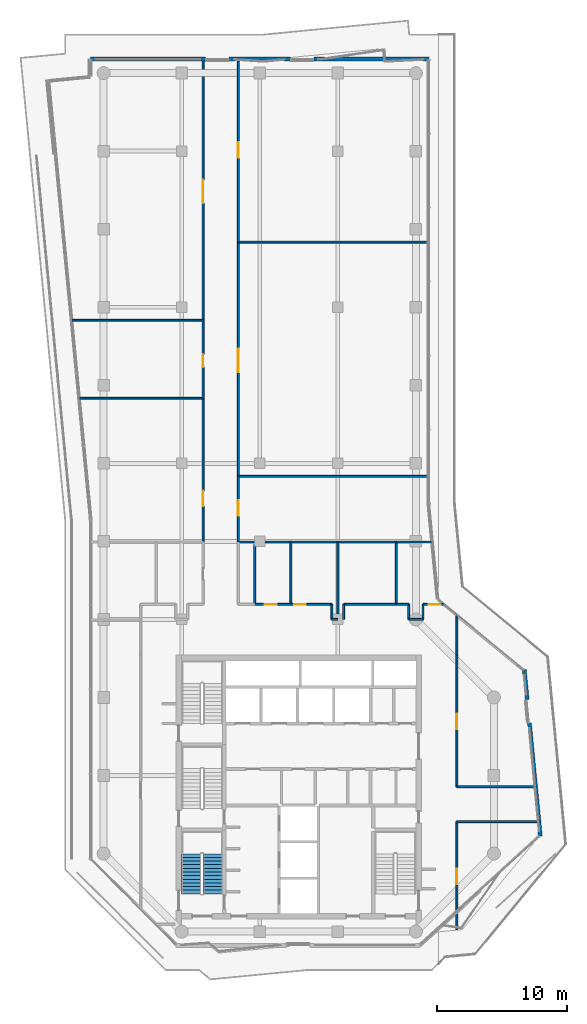
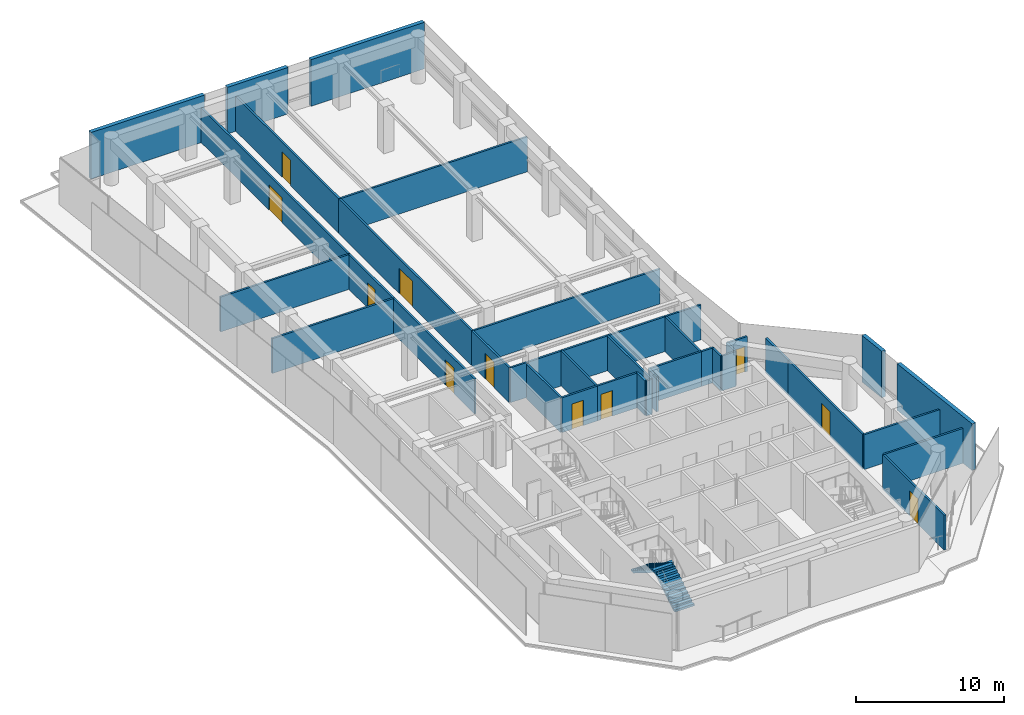
# One storey, part 20 of 23: 37 walls, 11 doors, 2 stair flights, 11 openings, 1 element without a shape of its own.
"""IFC4 building model written with IfcOpenShell, lengths in metres."""

from ifc_helpers import new_model, si_unit, direction, frame, frame_2d, origin, place, context, subcontext, project, spatial, polyline, rectangle, outline, extrude, material, layer, layer_set, type_object, element, fill, aggregate, save


model = new_model("IFC4")

# Units and contexts
model_context = context("Model", 3, precision=1e-05, world=origin(), true_north=direction((0.0, 1.0)))
body_context = subcontext(model_context, "Body", "Model", "MODEL_VIEW")
ifc_project = project(units=[si_unit("LENGTHUNIT", "METRE"), si_unit("AREAUNIT", "SQUARE_METRE"), si_unit("VOLUMEUNIT", "CUBIC_METRE"), si_unit("PLANEANGLEUNIT", "RADIAN"), si_unit("MASSUNIT", "GRAM", prefix="KILO")], contexts=[model_context])

# Site, building, storey
site_placement = place(None, origin())
site = spatial("IfcSite", under=ifc_project, at=site_placement, CompositionType="ELEMENT")
building_placement = place(site_placement, origin())
building = spatial("IfcBuilding", under=site, at=building_placement, Name="Welwitschia Terrace Campus", CompositionType="ELEMENT")
storey_placement = place(building_placement, frame((0.0, 0.0, 205.39990234375)))
storey = spatial("IfcBuildingStorey", under=building, at=storey_placement, Name="L45", CompositionType="ELEMENT", Elevation=205.39990234375)

# Walls
ifc_material_1 = material(Name="Gypsum board on steel studs", Category="steel")
ifc_layer_1 = layer(ifc_material_1, 0.14990234375)
ifc_layer_set_1 = layer_set([ifc_layer_1], Name="Gypsum board on steel studs")
wall_type_1 = type_object("IfcWallType", Name="Corridor partition 150 EI 30", PredefinedType="PARTITIONING", material=ifc_layer_set_1)
wall_1_placement = place(storey_placement, frame((-2.4599609375, 51.0, 0.0), z_axis=(0.0, 0.0, 1.0), x_axis=(1.0, 0.0, 0.0)))
element("IfcWall", 1, at=wall_1_placement, inside=storey, type_object=wall_type_1, Name="Partition", PredefinedType="PARTITIONING", context=body_context, shape_type="SweptSolid", body=[
    extrude(rectangle(XDim=10.10986328125, YDim=0.14990234375, at=frame_2d((5.054931640625, 0.0))), origin(), (0.0, 0.0, 1.0), 2.880126953125),
])
wall_2_placement = place(storey_placement, frame((-1.8798828125, 45.0, 0.0), z_axis=(0.0, 0.0, 1.0), x_axis=(1.0, 0.0, 0.0)))
element("IfcWall", 2, at=wall_2_placement, inside=storey, type_object=wall_type_1, Name="Partition", PredefinedType="PARTITIONING", context=body_context, shape_type="SweptSolid", body=[
    extrude(rectangle(XDim=9.52978515625, YDim=0.14990234375, at=frame_2d((4.764892578125, 0.0))), origin(), (0.0, 0.0, 1.0), 2.880126953125),
])

# Wall, opening, door
wall_3_placement = place(storey_placement, frame((7.64990234375, 33.949951171875, 0.0), z_axis=(0.0, 0.0, 1.0), x_axis=(0.0, 1.0, 0.0)))
wall_3 = element("IfcWall", 3, at=wall_3_placement, inside=storey, type_object=wall_type_1, Name="Partition", PredefinedType="PARTITIONING", context=body_context, shape_type="SweptSolid", body=[
    extrude(rectangle(XDim=11.050048828125, YDim=0.14990234375, at=frame_2d((5.52490234375, 0.0))), origin(), (0.0, 0.0, 1.0), 2.880126953125),
])
opening_1_placement = place(wall_3_placement, frame((2.75, 0.0, 0.0)))
opening_1 = element("IfcOpeningElement", 4, at=opening_1_placement, cuts=wall_3, Name="Opening DI12", PredefinedType="OPENING", context=body_context, shape_type="SweptSolid", body=[
    extrude(rectangle(XDim=1.199951171875, YDim=2.10009765625, at=frame_2d((0.60009765625, 1.050048828125))), frame((0.0, 0.0849609375, 0.0), z_axis=(0.0, -1.0, 0.0), x_axis=(1.0, 0.0, 0.0)), (0.0, 0.0, 1.0), 0.169921875),
])
ifc_material_2 = material(Name="Timber veneered door", Category="wood")
door_type_1 = type_object("IfcDoorType", Name="Interior door DI12", OperationType="NOTDEFINED", PredefinedType="DOOR", material=ifc_material_2)
door_1_placement = place(opening_1_placement, origin())
door_1 = element("IfcDoor", 5, at=door_1_placement, inside=storey, type_object=door_type_1, Name="Door L45 860", OperationType="SINGLE_SWING_LEFT", OverallHeight=2.10009765625, OverallWidth=1.199951171875, PredefinedType="DOOR", context=body_context, shape_type="SweptSolid", body=[
    extrude(rectangle(XDim=1.199951171875, YDim=2.10009765625, at=frame_2d((0.60009765625, 1.050048828125))), frame((0.0, 0.02490234375, 0.0), z_axis=(0.0, -1.0, 0.0), x_axis=(1.0, 0.0, 0.0)), (0.0, 0.0, 1.0), 0.050048828125),
])
fill(opening_1, door_1)

wall_4_placement = place(storey_placement, frame((7.64990234375, 45.0, 0.0), z_axis=(0.0, 0.0, 1.0), x_axis=(0.0, 1.0, 0.0)))
wall_4 = element("IfcWall", 6, at=wall_4_placement, inside=storey, type_object=wall_type_1, Name="Partition", PredefinedType="PARTITIONING", context=body_context, shape_type="SweptSolid", body=[
    extrude(rectangle(XDim=6.0, YDim=0.14990234375, at=frame_2d((3.0, 0.0))), origin(), (0.0, 0.0, 1.0), 2.880126953125),
])
opening_2_placement = place(wall_4_placement, frame((2.39990234375, 0.0, 0.0)))
opening_2 = element("IfcOpeningElement", 7, at=opening_2_placement, cuts=wall_4, Name="Opening DI10", PredefinedType="OPENING", context=body_context, shape_type="SweptSolid", body=[
    extrude(rectangle(XDim=1.0, YDim=2.10009765625, at=frame_2d((0.5, 1.050048828125))), frame((0.0, 0.0849609375, 0.0), z_axis=(0.0, -1.0, 0.0), x_axis=(1.0, 0.0, 0.0)), (0.0, 0.0, 1.0), 0.169921875),
])
ifc_material_3 = material(Name="Timber veneered door", Category="wood")
door_type_2 = type_object("IfcDoorType", Name="Interior door DI10", OperationType="NOTDEFINED", PredefinedType="DOOR", material=ifc_material_3)
door_2_placement = place(opening_2_placement, origin())
door_2 = element("IfcDoor", 8, at=door_2_placement, inside=storey, type_object=door_type_2, Name="Door L45 861", OperationType="SINGLE_SWING_RIGHT", OverallHeight=2.10009765625, OverallWidth=1.0, PredefinedType="DOOR", context=body_context, shape_type="SweptSolid", body=[
    extrude(rectangle(XDim=1.0, YDim=2.10009765625, at=frame_2d((0.5, 1.050048828125))), frame((0.0, 0.02490234375, 0.0), z_axis=(0.0, -1.0, 0.0), x_axis=(1.0, 0.0, 0.0)), (0.0, 0.0, 1.0), 0.050048828125),
])
fill(opening_2, door_2)

wall_5_placement = place(storey_placement, frame((7.64990234375, 71.090087890625, 0.0), z_axis=(0.0, 0.0, 1.0), x_axis=(0.0, -1.0, 0.0)))
wall_5 = element("IfcWall", 9, at=wall_5_placement, inside=storey, type_object=wall_type_1, Name="Partition", PredefinedType="PARTITIONING", context=body_context, shape_type="SweptSolid", body=[
    extrude(rectangle(XDim=20.090087890625, YDim=0.14990234375, at=frame_2d((10.044921875, 0.0))), origin(), (0.0, 0.0, 1.0), 2.880126953125),
])
opening_3_placement = place(wall_5_placement, frame((9.31005859375, 0.0, 0.0)))
opening_3 = element("IfcOpeningElement", 10, at=opening_3_placement, cuts=wall_5, Name="Opening DI18", PredefinedType="OPENING", context=body_context, shape_type="SweptSolid", body=[
    extrude(rectangle(XDim=1.800048828125, YDim=2.10009765625, at=frame_2d((0.89990234375, 1.050048828125))), frame((0.0, 0.0849609375, 0.0), z_axis=(0.0, -1.0, 0.0), x_axis=(1.0, 0.0, 0.0)), (0.0, 0.0, 1.0), 0.169921875),
])
ifc_material_4 = material(Name="Timber veneered door", Category="wood")
door_type_3 = type_object("IfcDoorType", Name="Interior door DI18", OperationType="DOUBLE_DOOR_SINGLE_SWING", PredefinedType="DOOR", material=ifc_material_4)
door_3_placement = place(opening_3_placement, origin())
door_3 = element("IfcDoor", 11, at=door_3_placement, inside=storey, type_object=door_type_3, Name="Door L45 862", OperationType="SINGLE_SWING_LEFT", OverallHeight=2.10009765625, OverallWidth=1.800048828125, PredefinedType="DOOR", context=body_context, shape_type="SweptSolid", body=[
    extrude(rectangle(XDim=1.800048828125, YDim=2.10009765625, at=frame_2d((0.89990234375, 1.050048828125))), frame((0.0, 0.02490234375, 0.0), z_axis=(0.0, -1.0, 0.0), x_axis=(1.0, 0.0, 0.0)), (0.0, 0.0, 1.0), 0.050048828125),
])
fill(opening_3, door_3)

# Wall
wall_6_placement = place(storey_placement, frame((10.35009765625, 33.949951171875, 0.0), z_axis=(0.0, 0.0, 1.0), x_axis=(1.0, 0.0, 0.0)))
element("IfcWall", 12, at=wall_6_placement, inside=storey, type_object=wall_type_1, Name="Partition", PredefinedType="PARTITIONING", context=body_context, shape_type="SweptSolid", body=[
    extrude(rectangle(XDim=12.159912109375, YDim=0.14990234375, at=frame_2d((6.080078125, 0.0))), origin(), (0.0, 0.0, 1.0), 2.880126953125),
])

# Wall, opening, door
wall_7_placement = place(storey_placement, frame((10.35009765625, 39.0, 0.0), z_axis=(0.0, 0.0, 1.0), x_axis=(0.0, -1.0, 0.0)))
wall_7 = element("IfcWall", 13, at=wall_7_placement, inside=storey, type_object=wall_type_1, Name="Partition", PredefinedType="PARTITIONING", context=body_context, shape_type="SweptSolid", body=[
    extrude(rectangle(XDim=5.050048828125, YDim=0.14990234375, at=frame_2d((2.52490234375, 0.0))), origin(), (0.0, 0.0, 1.0), 2.880126953125),
])
opening_4_placement = place(wall_7_placement, frame((1.85009765625, 0.0, 0.0)))
opening_4 = element("IfcOpeningElement", 14, at=opening_4_placement, cuts=wall_7, Name="Opening DI12", PredefinedType="OPENING", context=body_context, shape_type="SweptSolid", body=[
    extrude(rectangle(XDim=1.199951171875, YDim=2.10009765625, at=frame_2d((0.60009765625, 1.050048828125))), frame((0.0, 0.0849609375, 0.0), z_axis=(0.0, -1.0, 0.0), x_axis=(1.0, 0.0, 0.0)), (0.0, 0.0, 1.0), 0.169921875),
])
door_4_placement = place(opening_4_placement, origin())
door_4 = element("IfcDoor", 15, at=door_4_placement, inside=storey, type_object=door_type_1, Name="Door L45 863", OperationType="SINGLE_SWING_RIGHT", OverallHeight=2.10009765625, OverallWidth=1.199951171875, PredefinedType="DOOR", context=body_context, shape_type="SweptSolid", body=[
    extrude(rectangle(XDim=1.199951171875, YDim=2.10009765625, at=frame_2d((0.60009765625, 1.050048828125))), frame((0.0, 0.02490234375, 0.0), z_axis=(0.0, -1.0, 0.0), x_axis=(1.0, 0.0, 0.0)), (0.0, 0.0, 1.0), 0.050048828125),
])
fill(opening_4, door_4)

wall_8_placement = place(storey_placement, frame((10.35009765625, 39.0, 0.0), z_axis=(0.0, 0.0, 1.0), x_axis=(0.0, 1.0, 0.0)))
wall_8 = element("IfcWall", 16, at=wall_8_placement, inside=storey, type_object=wall_type_1, Name="Partition", PredefinedType="PARTITIONING", context=body_context, shape_type="SweptSolid", body=[
    extrude(rectangle(XDim=18.0, YDim=0.14990234375, at=frame_2d((9.0, 0.0))), origin(), (0.0, 0.0, 1.0), 2.880126953125),
])
opening_5_placement = place(wall_8_placement, frame((8.0, 0.0, 0.0)))
opening_5 = element("IfcOpeningElement", 17, at=opening_5_placement, cuts=wall_8, Name="Opening DI18", PredefinedType="OPENING", context=body_context, shape_type="SweptSolid", body=[
    extrude(rectangle(XDim=1.800048828125, YDim=2.10009765625, at=frame_2d((0.89990234375, 1.050048828125))), frame((0.0, 0.0849609375, 0.0), z_axis=(0.0, -1.0, 0.0), x_axis=(1.0, 0.0, 0.0)), (0.0, 0.0, 1.0), 0.169921875),
])
door_5_placement = place(opening_5_placement, origin())
door_5 = element("IfcDoor", 18, at=door_5_placement, inside=storey, type_object=door_type_3, Name="Door L45 864", OperationType="SINGLE_SWING_LEFT", OverallHeight=2.10009765625, OverallWidth=1.800048828125, PredefinedType="DOOR", context=body_context, shape_type="SweptSolid", body=[
    extrude(rectangle(XDim=1.800048828125, YDim=2.10009765625, at=frame_2d((0.89990234375, 1.050048828125))), frame((0.0, 0.02490234375, 0.0), z_axis=(0.0, -1.0, 0.0), x_axis=(1.0, 0.0, 0.0)), (0.0, 0.0, 1.0), 0.050048828125),
])
fill(opening_5, door_5)

# Walls
for number, where, z_axis, x_axis, name in (
    (19, (10.35009765625, 39.0, 0.0), (0.0, 0.0, 1.0), (1.0, 0.0, 0.0), "Partition"),
    (20, (10.35009765625, 57.0, 0.0), (0.0, 0.0, 1.0), (1.0, 0.0, 0.0), "Partition"),
):
    element("IfcWall", number, at=place(storey_placement, frame(where, z_axis=z_axis, x_axis=x_axis)), inside=storey, type_object=wall_type_1, Name=name, PredefinedType="PARTITIONING", context=body_context, shape_type="SweptSolid", body=[
        extrude(rectangle(XDim=14.6298828125, YDim=0.14990234375, at=frame_2d((7.31494140625, 0.0))), origin(), (0.0, 0.0, 1.0), 2.880126953125),
    ])

# Wall, opening, door
wall_9_placement = place(storey_placement, frame((10.35009765625, 71.090087890625, 0.0), z_axis=(0.0, 0.0, 1.0), x_axis=(0.0, -1.0, 0.0)))
wall_9 = element("IfcWall", 21, at=wall_9_placement, inside=storey, type_object=wall_type_1, Name="Partition", PredefinedType="PARTITIONING", context=body_context, shape_type="SweptSolid", body=[
    extrude(rectangle(XDim=14.090087890625, YDim=0.14990234375, at=frame_2d((7.044921875, 0.0))), origin(), (0.0, 0.0, 1.0), 2.880126953125),
])
opening_6_placement = place(wall_9_placement, frame((6.389892578125, 0.0, 0.0)))
opening_6 = element("IfcOpeningElement", 22, at=opening_6_placement, cuts=wall_9, Name="Opening DI12", PredefinedType="OPENING", context=body_context, shape_type="SweptSolid", body=[
    extrude(rectangle(XDim=1.199951171875, YDim=2.10009765625, at=frame_2d((0.60009765625, 1.050048828125))), frame((0.0, 0.0849609375, 0.0), z_axis=(0.0, -1.0, 0.0), x_axis=(1.0, 0.0, 0.0)), (0.0, 0.0, 1.0), 0.169921875),
])
door_6_placement = place(opening_6_placement, origin())
door_6 = element("IfcDoor", 23, at=door_6_placement, inside=storey, type_object=door_type_1, Name="Door L45 865", OperationType="SINGLE_SWING_RIGHT", OverallHeight=2.10009765625, OverallWidth=1.199951171875, PredefinedType="DOOR", context=body_context, shape_type="SweptSolid", body=[
    extrude(rectangle(XDim=1.199951171875, YDim=2.10009765625, at=frame_2d((0.60009765625, 1.050048828125))), frame((0.0, 0.02490234375, 0.0), z_axis=(0.0, -1.0, 0.0), x_axis=(1.0, 0.0, 0.0)), (0.0, 0.0, 1.0), 0.050048828125),
])
fill(opening_6, door_6)

# Wall
wall_10_placement = place(storey_placement, frame((11.60009765625, 29.14990234375, 0.0), z_axis=(0.0, 0.0, 1.0), x_axis=(0.0, 1.0, 0.0)))
element("IfcWall", 24, at=wall_10_placement, inside=storey, type_object=wall_type_1, Name="Partition", PredefinedType="PARTITIONING", context=body_context, shape_type="SweptSolid", body=[
    extrude(rectangle(XDim=4.60009765625, YDim=0.14990234375, at=frame_2d((2.300048828125, 0.0))), origin(), (0.0, 0.0, 1.0), 2.880126953125),
])

# Wall, opening, door
wall_11_placement = place(storey_placement, frame((11.60009765625, 29.14990234375, 0.0), z_axis=(0.0, 0.0, 1.0), x_axis=(1.0, 0.0, 0.0)))
wall_11 = element("IfcWall", 25, at=wall_11_placement, inside=storey, type_object=wall_type_1, Name="Partition", PredefinedType="PARTITIONING", context=body_context, shape_type="SweptSolid", body=[
    extrude(rectangle(XDim=2.7998046875, YDim=0.14990234375, at=frame_2d((1.39990234375, 0.0))), origin(), (0.0, 0.0, 1.0), 2.880126953125),
])
opening_7_placement = place(wall_11_placement, frame((0.800048828125, 0.0, 0.0)))
opening_7 = element("IfcOpeningElement", 26, at=opening_7_placement, cuts=wall_11, Name="Opening DI09", PredefinedType="OPENING", context=body_context, shape_type="SweptSolid", body=[
    extrude(rectangle(XDim=0.89990234375, YDim=2.10009765625, at=frame_2d((0.449951171875, 1.050048828125))), frame((0.0, 0.0849609375, 0.0), z_axis=(0.0, -1.0, 0.0), x_axis=(1.0, 0.0, 0.0)), (0.0, 0.0, 1.0), 0.169921875),
])
ifc_material_5 = material(Name="Timber veneered door", Category="wood")
door_type_4 = type_object("IfcDoorType", Name="Interior door DI09", OperationType="NOTDEFINED", PredefinedType="DOOR", material=ifc_material_5)
door_7_placement = place(opening_7_placement, origin())
door_7 = element("IfcDoor", 27, at=door_7_placement, inside=storey, type_object=door_type_4, Name="Door L45 866", OperationType="SINGLE_SWING_LEFT", OverallHeight=2.10009765625, OverallWidth=0.89990234375, PredefinedType="DOOR", context=body_context, shape_type="SweptSolid", body=[
    extrude(rectangle(XDim=0.89990234375, YDim=2.10009765625, at=frame_2d((0.449951171875, 1.050048828125))), frame((0.0, 0.02490234375, 0.0), z_axis=(0.0, -1.0, 0.0), x_axis=(1.0, 0.0, 0.0)), (0.0, 0.0, 1.0), 0.050048828125),
])
fill(opening_7, door_7)

# Wall
wall_12_placement = place(storey_placement, frame((14.39990234375, 29.14990234375, 0.0), z_axis=(0.0, 0.0, 1.0), x_axis=(0.0, 1.0, 0.0)))
element("IfcWall", 28, at=wall_12_placement, inside=storey, type_object=wall_type_1, Name="Partition", PredefinedType="PARTITIONING", context=body_context, shape_type="SweptSolid", body=[
    extrude(rectangle(XDim=4.800048828125, YDim=0.14990234375, at=frame_2d((2.39990234375, 0.0))), origin(), (0.0, 0.0, 1.0), 2.880126953125),
])

# Wall, opening, door
wall_13_placement = place(storey_placement, frame((14.39990234375, 29.14990234375, 0.0), z_axis=(0.0, 0.0, 1.0), x_axis=(1.0, 0.0, 0.0)))
wall_13 = element("IfcWall", 29, at=wall_13_placement, inside=storey, type_object=wall_type_1, Name="Partition", PredefinedType="PARTITIONING", context=body_context, shape_type="SweptSolid", body=[
    extrude(rectangle(XDim=3.150146484375, YDim=0.14990234375, at=frame_2d((1.5751953125, 0.0))), origin(), (0.0, 0.0, 1.0), 2.880126953125),
])
opening_8_placement = place(wall_13_placement, frame((0.25, 0.0, 0.0)))
opening_8 = element("IfcOpeningElement", 30, at=opening_8_placement, cuts=wall_13, Name="Opening DI09", PredefinedType="OPENING", context=body_context, shape_type="SweptSolid", body=[
    extrude(rectangle(XDim=0.89990234375, YDim=2.10009765625, at=frame_2d((0.449951171875, 1.050048828125))), frame((0.0, 0.0849609375, 0.0), z_axis=(0.0, -1.0, 0.0), x_axis=(1.0, 0.0, 0.0)), (0.0, 0.0, 1.0), 0.169921875),
])
door_8_placement = place(opening_8_placement, origin())
door_8 = element("IfcDoor", 31, at=door_8_placement, inside=storey, type_object=door_type_4, Name="Door L45 867", OperationType="SINGLE_SWING_RIGHT", OverallHeight=2.10009765625, OverallWidth=0.89990234375, PredefinedType="DOOR", context=body_context, shape_type="SweptSolid", body=[
    extrude(rectangle(XDim=0.89990234375, YDim=2.10009765625, at=frame_2d((0.449951171875, 1.050048828125))), frame((0.0, 0.02490234375, 0.0), z_axis=(0.0, -1.0, 0.0), x_axis=(1.0, 0.0, 0.0)), (0.0, 0.0, 1.0), 0.050048828125),
])
fill(opening_8, door_8)

# Walls
wall_14_placement = place(storey_placement, frame((17.550048828125, 28.0, 0.0), z_axis=(0.0, 0.0, 1.0), x_axis=(0.0, 1.0, 0.0)))
element("IfcWall", 32, at=wall_14_placement, inside=storey, type_object=wall_type_1, Name="Partition", PredefinedType="PARTITIONING", context=body_context, shape_type="SweptSolid", body=[
    extrude(rectangle(XDim=1.14990234375, YDim=0.14990234375, at=frame_2d((0.574951171875, 0.0))), origin(), (0.0, 0.0, 1.0), 2.880126953125),
])
wall_15_placement = place(storey_placement, frame((17.550048828125, 28.0, 0.0), z_axis=(0.0, 0.0, 1.0), x_axis=(1.0, 0.0, 0.0)))
element("IfcWall", 33, at=wall_15_placement, inside=storey, type_object=wall_type_1, Name="Partition", PredefinedType="PARTITIONING", context=body_context, shape_type="SweptSolid", body=[
    extrude(rectangle(XDim=0.449951171875, YDim=0.14990234375, at=frame_2d((0.22509765625, 0.0))), origin(), (0.0, 0.0, 1.0), 2.880126953125),
])
wall_16_placement = place(storey_placement, frame((18.0, 28.0, 0.0), z_axis=(0.0, 0.0, 1.0), x_axis=(0.0, 1.0, 0.0)))
element("IfcWall", 34, at=wall_16_placement, inside=storey, type_object=wall_type_1, Name="Partition", PredefinedType="PARTITIONING", context=body_context, shape_type="SweptSolid", body=[
    extrude(rectangle(XDim=5.949951171875, YDim=0.14990234375, at=frame_2d((2.97509765625, 0.0))), origin(), (0.0, 0.0, 1.0), 2.880126953125),
])
wall_17_placement = place(storey_placement, frame((18.449951171875, 28.0, 0.0), z_axis=(0.0, 0.0, 1.0), x_axis=(0.0, 1.0, 0.0)))
element("IfcWall", 35, at=wall_17_placement, inside=storey, type_object=wall_type_1, Name="Partition", PredefinedType="PARTITIONING", context=body_context, shape_type="SweptSolid", body=[
    extrude(rectangle(XDim=1.14990234375, YDim=0.14990234375, at=frame_2d((0.574951171875, 0.0))), origin(), (0.0, 0.0, 1.0), 2.880126953125),
])
wall_18_placement = place(storey_placement, frame((18.449951171875, 29.14990234375, 0.0), z_axis=(0.0, 0.0, 1.0), x_axis=(1.0, 0.0, 0.0)))
element("IfcWall", 36, at=wall_18_placement, inside=storey, type_object=wall_type_1, Name="Partition", PredefinedType="PARTITIONING", context=body_context, shape_type="SweptSolid", body=[
    extrude(rectangle(XDim=4.06005859375, YDim=0.14990234375, at=frame_2d((2.030029296875, 0.0))), origin(), (0.0, 0.0, 1.0), 2.880126953125),
])
wall_19_placement = place(storey_placement, frame((22.510009765625, 29.14990234375, 0.0), z_axis=(0.0, 0.0, 1.0), x_axis=(0.0, 1.0, 0.0)))
element("IfcWall", 37, at=wall_19_placement, inside=storey, type_object=wall_type_1, Name="Partition", PredefinedType="PARTITIONING", context=body_context, shape_type="SweptSolid", body=[
    extrude(rectangle(XDim=4.800048828125, YDim=0.14990234375, at=frame_2d((2.39990234375, 0.0))), origin(), (0.0, 0.0, 1.0), 2.880126953125),
])
wall_20_placement = place(storey_placement, frame((22.510009765625, 29.14990234375, 0.0), z_axis=(0.0, 0.0, 1.0), x_axis=(1.0, 0.0, 0.0)))
element("IfcWall", 38, at=wall_20_placement, inside=storey, type_object=wall_type_1, Name="Partition", PredefinedType="PARTITIONING", context=body_context, shape_type="SweptSolid", body=[
    extrude(rectangle(XDim=0.93994140625, YDim=0.14990234375, at=frame_2d((0.469970703125, 0.0))), origin(), (0.0, 0.0, 1.0), 2.880126953125),
])
wall_21_placement = place(storey_placement, frame((22.510009765625, 33.949951171875, 0.0), z_axis=(0.0, 0.0, 1.0), x_axis=(1.0, 0.0, 0.0)))
element("IfcWall", 39, at=wall_21_placement, inside=storey, type_object=wall_type_1, Name="Partition", PredefinedType="PARTITIONING", context=body_context, shape_type="SweptSolid", body=[
    extrude(rectangle(XDim=2.760009765625, YDim=0.14990234375, at=frame_2d((1.3798828125, 0.0))), origin(), (0.0, 0.0, 1.0), 2.880126953125),
])
wall_22_placement = place(storey_placement, frame((23.449951171875, 28.0, 0.0), z_axis=(0.0, 0.0, 1.0), x_axis=(0.0, 1.0, 0.0)))
element("IfcWall", 40, at=wall_22_placement, inside=storey, type_object=wall_type_1, Name="Partition", PredefinedType="PARTITIONING", context=body_context, shape_type="SweptSolid", body=[
    extrude(rectangle(XDim=1.14990234375, YDim=0.14990234375, at=frame_2d((0.574951171875, 0.0))), origin(), (0.0, 0.0, 1.0), 2.880126953125),
])
wall_23_placement = place(storey_placement, frame((23.449951171875, 28.0, 0.0), z_axis=(0.0, 0.0, 1.0), x_axis=(1.0, 0.0, 0.0)))
element("IfcWall", 41, at=wall_23_placement, inside=storey, type_object=wall_type_1, Name="Partition", PredefinedType="PARTITIONING", context=body_context, shape_type="SweptSolid", body=[
    extrude(rectangle(XDim=1.10009765625, YDim=0.14990234375, at=frame_2d((0.550048828125, 0.0))), origin(), (0.0, 0.0, 1.0), 2.880126953125),
])
wall_24_placement = place(storey_placement, frame((24.550048828125, 28.0, 0.0), z_axis=(0.0, 0.0, 1.0), x_axis=(0.0, 1.0, 0.0)))
element("IfcWall", 42, at=wall_24_placement, inside=storey, type_object=wall_type_1, Name="Partition", PredefinedType="PARTITIONING", context=body_context, shape_type="SweptSolid", body=[
    extrude(rectangle(XDim=1.14990234375, YDim=0.14990234375, at=frame_2d((0.574951171875, 0.0))), origin(), (0.0, 0.0, 1.0), 2.880126953125),
])

# Wall, opening, door
wall_25_placement = place(storey_placement, frame((24.550048828125, 29.14990234375, 0.0), z_axis=(0.0, 0.0, 1.0), x_axis=(1.0, 0.0, 0.0)))
wall_25 = element("IfcWall", 43, at=wall_25_placement, inside=storey, type_object=wall_type_1, Name="Partition", PredefinedType="PARTITIONING", context=body_context, shape_type="SweptSolid", body=[
    extrude(rectangle(XDim=1.56005859375, YDim=0.14990234375, at=frame_2d((0.780029296875, 0.0))), origin(), (0.0, 0.0, 1.0), 2.880126953125),
])
opening_9_placement = place(wall_25_placement, frame((0.4599609375, 0.0, 0.0)))
opening_9 = element("IfcOpeningElement", 44, at=opening_9_placement, cuts=wall_25, Name="Opening DI09", PredefinedType="OPENING", context=body_context, shape_type="SweptSolid", body=[
    extrude(rectangle(XDim=0.89990234375, YDim=2.10009765625, at=frame_2d((0.449951171875, 1.050048828125))), frame((0.0, 0.0849609375, 0.0), z_axis=(0.0, -1.0, 0.0), x_axis=(1.0, 0.0, 0.0)), (0.0, 0.0, 1.0), 0.169921875),
])
door_9_placement = place(opening_9_placement, origin())
door_9 = element("IfcDoor", 45, at=door_9_placement, inside=storey, type_object=door_type_4, Name="Door L45 868", OperationType="SINGLE_SWING_LEFT", OverallHeight=2.10009765625, OverallWidth=0.89990234375, PredefinedType="DOOR", context=body_context, shape_type="SweptSolid", body=[
    extrude(rectangle(XDim=0.89990234375, YDim=2.10009765625, at=frame_2d((0.449951171875, 1.050048828125))), frame((0.0, 0.02490234375, 0.0), z_axis=(0.0, -1.0, 0.0), x_axis=(1.0, 0.0, 0.0)), (0.0, 0.0, 1.0), 0.050048828125),
])
fill(opening_9, door_9)

wall_26_placement = place(storey_placement, frame((27.14990234375, 12.449951171875, 0.0), z_axis=(0.0, 0.0, 1.0), x_axis=(0.0, -1.0, 0.0)))
wall_26 = element("IfcWall", 46, at=wall_26_placement, inside=storey, type_object=wall_type_1, Name="Partition", PredefinedType="PARTITIONING", context=body_context, shape_type="SweptSolid", body=[
    extrude(rectangle(XDim=8.320068359375, YDim=0.14990234375, at=frame_2d((4.16015625, 0.0))), origin(), (0.0, 0.0, 1.0), 2.880126953125),
])
opening_10_placement = place(wall_26_placement, frame((3.6201171875, 0.0, 0.0)))
opening_10 = element("IfcOpeningElement", 47, at=opening_10_placement, cuts=wall_26, Name="Opening DI12", PredefinedType="OPENING", context=body_context, shape_type="SweptSolid", body=[
    extrude(rectangle(XDim=1.199951171875, YDim=2.10009765625, at=frame_2d((0.60009765625, 1.050048828125))), frame((0.0, 0.0849609375, 0.0), z_axis=(0.0, -1.0, 0.0), x_axis=(1.0, 0.0, 0.0)), (0.0, 0.0, 1.0), 0.169921875),
])
door_10_placement = place(opening_10_placement, origin())
door_10 = element("IfcDoor", 48, at=door_10_placement, inside=storey, type_object=door_type_1, Name="Door L45 869", OperationType="SINGLE_SWING_RIGHT", OverallHeight=2.10009765625, OverallWidth=1.199951171875, PredefinedType="DOOR", context=body_context, shape_type="SweptSolid", body=[
    extrude(rectangle(XDim=1.199951171875, YDim=2.10009765625, at=frame_2d((0.60009765625, 1.050048828125))), frame((0.0, 0.02490234375, 0.0), z_axis=(0.0, -1.0, 0.0), x_axis=(1.0, 0.0, 0.0)), (0.0, 0.0, 1.0), 0.050048828125),
])
fill(opening_10, door_10)

# Walls
wall_27_placement = place(storey_placement, frame((27.14990234375, 12.449951171875, 0.0), z_axis=(0.0, 0.0, 1.0), x_axis=(1.0, 0.0, 0.0)))
element("IfcWall", 49, at=wall_27_placement, inside=storey, type_object=wall_type_1, Name="Partition", PredefinedType="PARTITIONING", context=body_context, shape_type="SweptSolid", body=[
    extrude(rectangle(XDim=6.32421875, YDim=0.14990234375, at=frame_2d((3.162109375, 0.0))), origin(), (0.0, 0.0, 1.0), 2.880126953125),
])
wall_28_placement = place(storey_placement, frame((27.14990234375, 15.14990234375, 0.0), z_axis=(0.0, 0.0, 1.0), x_axis=(1.0, 0.0, 0.0)))
element("IfcWall", 50, at=wall_28_placement, inside=storey, type_object=wall_type_1, Name="Partition", PredefinedType="PARTITIONING", context=body_context, shape_type="SweptSolid", body=[
    extrude(rectangle(XDim=6.064208984375, YDim=0.14990234375, at=frame_2d((3.0322265625, 0.0))), origin(), (0.0, 0.0, 1.0), 2.880126953125),
])

# Wall, opening, door
wall_29_placement = place(storey_placement, frame((27.14990234375, 25.25, 0.0), z_axis=(0.0, 0.0, 1.0), x_axis=(0.0, -1.0, 0.0)))
wall_29 = element("IfcWall", 51, at=wall_29_placement, inside=storey, type_object=wall_type_1, Name="Partition", PredefinedType="PARTITIONING", context=body_context, shape_type="SweptSolid", body=[
    extrude(rectangle(XDim=10.10009765625, YDim=0.14990234375, at=frame_2d((5.050048828125, 0.0))), origin(), (0.0, 0.0, 1.0), 2.880126953125),
])
opening_11_placement = place(wall_29_placement, frame((4.5, 0.0, 0.0)))
opening_11 = element("IfcOpeningElement", 52, at=opening_11_placement, cuts=wall_29, Name="Opening DI12", PredefinedType="OPENING", context=body_context, shape_type="SweptSolid", body=[
    extrude(rectangle(XDim=1.199951171875, YDim=2.10009765625, at=frame_2d((0.60009765625, 1.050048828125))), frame((0.0, 0.0849609375, 0.0), z_axis=(0.0, -1.0, 0.0), x_axis=(1.0, 0.0, 0.0)), (0.0, 0.0, 1.0), 0.169921875),
])
door_11_placement = place(opening_11_placement, origin())
door_11 = element("IfcDoor", 53, at=door_11_placement, inside=storey, type_object=door_type_1, Name="Door L45 870", OperationType="SINGLE_SWING_LEFT", OverallHeight=2.10009765625, OverallWidth=1.199951171875, PredefinedType="DOOR", context=body_context, shape_type="SweptSolid", body=[
    extrude(rectangle(XDim=1.199951171875, YDim=2.10009765625, at=frame_2d((0.60009765625, 1.050048828125))), frame((0.0, 0.02490234375, 0.0), z_axis=(0.0, -1.0, 0.0), x_axis=(1.0, 0.0, 0.0)), (0.0, 0.0, 1.0), 0.050048828125),
])
fill(opening_11, door_11)

# Walls
wall_30_placement = place(storey_placement, frame((27.14990234375, 25.25, 0.0), z_axis=(0.0, 0.0, 1.0), x_axis=(0.0, 1.0, 0.0)))
element("IfcWall", 54, at=wall_30_placement, inside=storey, type_object=wall_type_1, Name="Partition", PredefinedType="PARTITIONING", context=body_context, shape_type="SweptSolid", body=[
    extrude(rectangle(XDim=3.050048828125, YDim=0.14990234375, at=frame_2d((1.52490234375, 0.0))), origin(), (0.0, 0.0, 1.0), 2.880126953125),
])
ifc_material_6 = material(Name="Concrete C40/50", Category="concrete")
ifc_layer_2 = layer(ifc_material_6, 0.300048828125)
ifc_layer_set_2 = layer_set([ifc_layer_2], Name="Concrete C40/50")
wall_type_2 = type_object("IfcWallType", Name="Mass wall 300", PredefinedType="SOLIDWALL", material=ifc_layer_set_2)
wall_31_placement = place(storey_placement, frame((33.571044921875, 11.33642578125, 0.0), z_axis=(0.0, 0.0, 1.0), x_axis=(-0.095841215008, 0.995396635269, 0.0)))
element("IfcWall", 55, at=wall_31_placement, inside=storey, type_object=wall_type_2, Name="Mass wall L45.4.0", PredefinedType="SOLIDWALL", context=body_context, shape_type="SweptSolid", body=[
    extrude(rectangle(XDim=8.739990234375, YDim=0.300048828125, at=frame_2d((4.3701171875, 0.0))), origin(), (0.0, 0.0, 1.0), 3.85009765625),
])
wall_32_placement = place(storey_placement, frame((32.560791015625, 21.827880859375, 0.0), z_axis=(0.0, 0.0, 1.0), x_axis=(-0.095825017052, 0.995398194748, 0.0)))
element("IfcWall", 56, at=wall_32_placement, inside=storey, type_object=wall_type_2, Name="Mass wall L45.4.1", PredefinedType="SOLIDWALL", context=body_context, shape_type="SweptSolid", body=[
    extrude(rectangle(XDim=2.3134765625, YDim=0.300048828125, at=frame_2d((1.15673828125, 0.0))), origin(), (0.0, 0.0, 1.0), 3.85009765625),
])
wall_33_placement = place(storey_placement, frame((25.030029296875, 71.078125, 0.0), z_axis=(0.0, 0.0, 1.0), x_axis=(-1.0, 0.0, 0.0)))
element("IfcWall", 57, at=wall_33_placement, inside=storey, type_object=wall_type_2, Name="Mass wall L45.8.0", PredefinedType="SOLIDWALL", context=body_context, shape_type="SweptSolid", body=[
    extrude(rectangle(XDim=8.87255859375, YDim=0.300048828125, at=frame_2d((4.436279296875, 0.0))), origin(), (0.0, 0.0, 1.0), 3.85009765625),
])
wall_34_placement = place(storey_placement, frame((14.357421875, 71.080078125, 0.0), z_axis=(0.0, 0.0, 1.0), x_axis=(-1.0, 0.0, 0.0)))
element("IfcWall", 58, at=wall_34_placement, inside=storey, type_object=wall_type_2, Name="Mass wall L45.8.1", PredefinedType="SOLIDWALL", context=body_context, shape_type="SweptSolid", body=[
    extrude(rectangle(XDim=4.71484375, YDim=0.300048828125, at=frame_2d((2.357421875, 0.0))), origin(), (0.0, 0.0, 1.0), 3.85009765625),
])
wall_35_placement = place(storey_placement, frame((7.842529296875, 71.078125, 0.0), z_axis=(0.0, 0.0, 1.0), x_axis=(-1.0, 0.0, 0.0)))
element("IfcWall", 59, at=wall_35_placement, inside=storey, type_object=wall_type_2, Name="Mass wall L45.8.2", PredefinedType="SOLIDWALL", context=body_context, shape_type="SweptSolid", body=[
    extrude(rectangle(XDim=8.87255859375, YDim=0.300048828125, at=frame_2d((4.436279296875, 0.0))), origin(), (0.0, 0.0, 1.0), 3.85009765625),
])

# Stair, stair flights
ifc_material_7 = material(Name="Concrete C40/50", Category="concrete")
stair_type = type_object("IfcStairType", Name="Stair 24R 175 W1500", PredefinedType="HALF_TURN_STAIR", material=ifc_material_7)
stair_placement = place(storey_placement, origin())
stair = element("IfcStair", 60, at=stair_placement, inside=storey, type_object=stair_type, Name="L45 Exit stair S1", PredefinedType="HALF_TURN_STAIR")
ifc_material_8 = material(Name="Concrete C40/50", Category="concrete")
stair_flight_type = type_object("IfcStairFlightType", Name="Stair flight 24R 175 W1500", PredefinedType="STRAIGHT", material=ifc_material_8)
stair_flight_1_placement = place(storey_placement, frame((8.39990234375, 6.89990234375, 0.0), z_axis=(0.0, 0.0, 1.0), x_axis=(0.0, 1.0, 0.0)))
stair_flight_1 = element("IfcStairFlight", 61, at=stair_flight_1_placement, type_object=stair_flight_type, Name="S1 flight 1", NumberOfRisers=12, NumberOfTreads=11, PredefinedType="STRAIGHT", RiserHeight=0.175, TreadLength=0.28, context=body_context, shape_type="SweptSolid", body=[
    extrude(outline(polyline([(0.0, 0.0), (0.0, 0.175048828125), (0.280029296875, 0.175048828125), (0.280029296875, 0.35009765625), (0.56005859375, 0.35009765625), (0.56005859375, 0.52490234375), (0.840087890625, 0.52490234375), (0.840087890625, 0.699951171875), (1.1201171875, 0.699951171875), (1.1201171875, 0.875), (1.39990234375, 0.875), (1.39990234375, 1.050048828125), (1.679931640625, 1.050048828125), (1.679931640625, 1.22509765625), (1.9599609375, 1.22509765625), (1.9599609375, 1.39990234375), (2.239990234375, 1.39990234375), (2.239990234375, 1.574951171875), (2.52001953125, 1.574951171875), (2.52001953125, 1.75), (2.800048828125, 1.75), (2.800048828125, 1.925048828125), (3.080078125, 1.925048828125), (3.080078125, 2.10009765625), (3.080078125, 1.748291015625), (0.28271484375, 0.0), (0.0, 0.0)])), frame((0.0, 0.75, 0.0), z_axis=(0.0, -1.0, 0.0), x_axis=(1.0, 0.0, 0.0)), (0.0, 0.0, 1.0), 1.5),
])
stair_flight_2_placement = place(storey_placement, frame((6.75, 9.97998046875, 2.10009765625), z_axis=(0.0, 0.0, 1.0), x_axis=(0.0, -1.0, 0.0)))
stair_flight_2 = element("IfcStairFlight", 62, at=stair_flight_2_placement, type_object=stair_flight_type, Name="S1 flight 2", NumberOfRisers=12, NumberOfTreads=11, PredefinedType="STRAIGHT", RiserHeight=0.175, TreadLength=0.28, context=body_context, shape_type="SweptSolid", body=[
    extrude(outline(polyline([(0.0, 0.0), (0.0, 0.175048828125), (0.280029296875, 0.175048828125), (0.280029296875, 0.35009765625), (0.56005859375, 0.35009765625), (0.56005859375, 0.52490234375), (0.840087890625, 0.52490234375), (0.840087890625, 0.699951171875), (1.1201171875, 0.699951171875), (1.1201171875, 0.875), (1.39990234375, 0.875), (1.39990234375, 1.050048828125), (1.679931640625, 1.050048828125), (1.679931640625, 1.22509765625), (1.9599609375, 1.22509765625), (1.9599609375, 1.39990234375), (2.239990234375, 1.39990234375), (2.239990234375, 1.574951171875), (2.52001953125, 1.574951171875), (2.52001953125, 1.75), (2.800048828125, 1.75), (2.800048828125, 1.925048828125), (3.080078125, 1.925048828125), (3.080078125, 2.10009765625), (3.080078125, 1.748291015625), (0.28271484375, 0.0), (0.0, 0.0)])), frame((0.0, 0.75, 0.0), z_axis=(0.0, -1.0, 0.0), x_axis=(1.0, 0.0, 0.0)), (0.0, 0.0, 1.0), 1.5),
])
aggregate(stair, [stair_flight_1, stair_flight_2])

save(model, "model.ifc")
